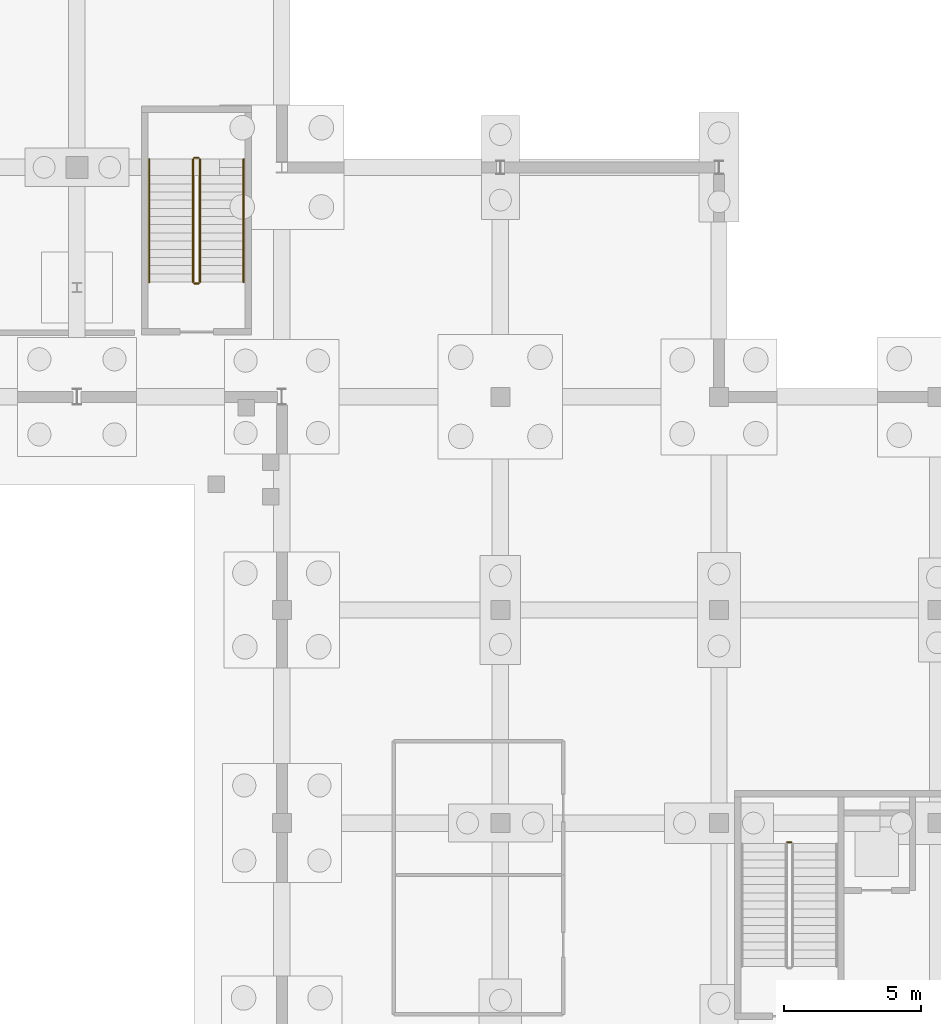
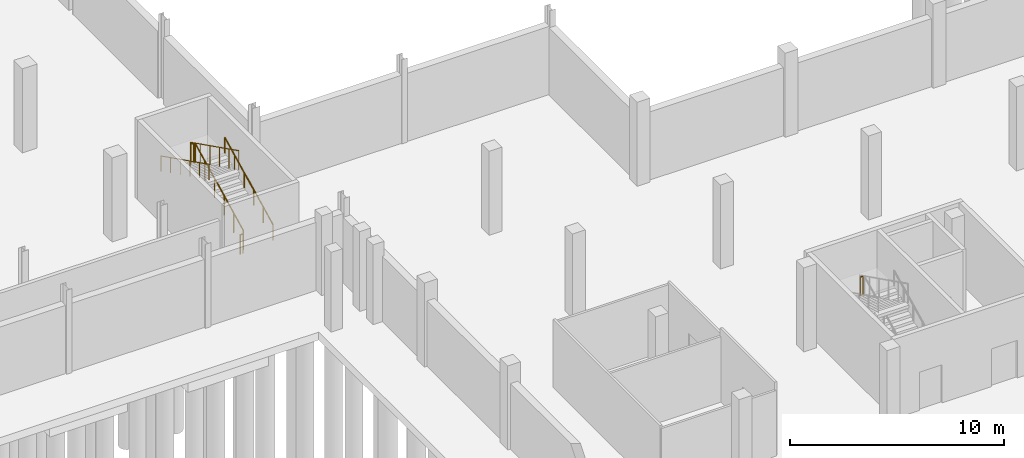
# One storey, part 40 of 44: 7 railings.
"""IFC4 building model written with IfcOpenShell, lengths in metres."""

from ifc_helpers import new_model, si_unit, direction, frame, origin, origin_2d, place, context, subcontext, project, spatial, circle, extrude, material, layer, layer_set, type_object, element, save


model = new_model("IFC4")

# Units and contexts
model_context = context("Model", 3, precision=1e-05, world=origin(), true_north=direction((0.0, 1.0)))
body_context = subcontext(model_context, "Body", "Model", "MODEL_VIEW")
ifc_project = project(units=[si_unit("LENGTHUNIT", "METRE"), si_unit("AREAUNIT", "SQUARE_METRE"), si_unit("VOLUMEUNIT", "CUBIC_METRE"), si_unit("PLANEANGLEUNIT", "RADIAN"), si_unit("MASSUNIT", "GRAM", prefix="KILO")], contexts=[model_context])

# Site, building, storey
site_placement = place(None, origin())
site = spatial("IfcSite", under=ifc_project, at=site_placement, CompositionType="ELEMENT")
building_placement = place(site_placement, origin())
building = spatial("IfcBuilding", under=site, at=building_placement, Name="Yukiwa Park Conservatory and Herbarium", CompositionType="ELEMENT")
storey_placement = place(building_placement, frame((0.0, 0.0, -4.800048828125)))
storey = spatial("IfcBuildingStorey", under=building, at=storey_placement, Name="B1", CompositionType="ELEMENT", Elevation=-4.800048828125)

# Railings
ifc_material_1 = material(Name="Steel Q235B", Category="steel")
ifc_layer_1 = layer(ifc_material_1, 0.050048828125)
ifc_layer_set_1 = layer_set([ifc_layer_1], Name="Steel Q235B")
railing_type_1 = type_object("IfcRailingType", Name="RL-STAIR-GUARD-1120", PredefinedType="BALUSTRADE", material=ifc_layer_set_1)
railing_1_placement = place(storey_placement, frame((78.64990234375, 61.699951171875, 2.400146484375)))
element("IfcRailing", 1, at=railing_1_placement, inside=storey, type_object=railing_type_1, Name="B1 ST-V1 stair guard 2", PredefinedType="BALUSTRADE", context=body_context, shape_type="SweptSolid", body=[
    extrude(circle(Radius=0.02392578125, at=origin_2d()), frame((0.0, 0.0, 1.09619140625), z_axis=(-1.0, 0.0, 0.0), x_axis=(0.0, -1.0, 0.0)), (0.0, 0.0, 1.0), 0.14990234375),
    extrude(circle(Radius=0.02099609375, at=origin_2d()), origin(), (0.0, 0.0, 1.0), 1.072021484375),
    extrude(circle(Radius=0.02099609375, at=origin_2d()), frame((-0.14990234375, 0.0, 0.0)), (0.0, 0.0, 1.0), 1.072021484375),
])
railing_2_placement = place(storey_placement, frame((57.0, 82.199951171875, 0.150146484375)))
element("IfcRailing", 2, at=railing_2_placement, inside=storey, type_object=railing_type_1, Name="B1 ST-A2 stair guard 1", PredefinedType="BALUSTRADE", context=body_context, shape_type="SweptSolid", body=[
    extrude(circle(Radius=0.02392578125, at=origin_2d()), frame((0.0, 0.0, 1.09619140625), z_axis=(0.0, 0.894427191, 0.4472135955), x_axis=(-1.0, 0.0, 0.0)), (0.0, 0.0, 1.0), 5.03125),
    extrude(circle(Radius=0.02099609375, at=origin_2d()), origin(), (0.0, 0.0, 1.0), 1.072021484375),
    extrude(circle(Radius=0.02099609375, at=origin_2d()), frame((0.0, 0.89990234375, 0.449951171875)), (0.0, 0.0, 1.0), 1.072021484375),
    extrude(circle(Radius=0.02099609375, at=origin_2d()), frame((0.0, 1.800048828125, 0.89990234375)), (0.0, 0.0, 1.0), 1.072021484375),
    extrude(circle(Radius=0.02099609375, at=origin_2d()), frame((0.0, 2.699951171875, 1.35009765625)), (0.0, 0.0, 1.0), 1.072021484375),
    extrude(circle(Radius=0.02099609375, at=origin_2d()), frame((0.0, 3.60009765625, 1.800048828125)), (0.0, 0.0, 1.0), 1.072021484375),
    extrude(circle(Radius=0.02099609375, at=origin_2d()), frame((0.0, 4.5, 2.25)), (0.0, 0.0, 1.0), 1.072021484375),
])
railing_3_placement = place(storey_placement, frame((56.949951171875, 86.75, 2.400146484375)))
element("IfcRailing", 3, at=railing_3_placement, inside=storey, type_object=railing_type_1, Name="B1 ST-A2 stair guard 2", PredefinedType="BALUSTRADE", context=body_context, shape_type="SweptSolid", body=[
    extrude(circle(Radius=0.02392578125, at=origin_2d()), frame((0.0, 0.0, 1.09619140625), z_axis=(-1.0, 0.0, 0.0), x_axis=(0.0, -1.0, 0.0)), (0.0, 0.0, 1.0), 0.14990234375),
    extrude(circle(Radius=0.02099609375, at=origin_2d()), origin(), (0.0, 0.0, 1.0), 1.072021484375),
    extrude(circle(Radius=0.02099609375, at=origin_2d()), frame((-0.14990234375, 0.0, 0.0)), (0.0, 0.0, 1.0), 1.072021484375),
])
railing_4_placement = place(storey_placement, frame((56.75, 86.699951171875, 2.550048828125)))
element("IfcRailing", 4, at=railing_4_placement, inside=storey, type_object=railing_type_1, Name="B1 ST-A2 stair guard 3", PredefinedType="BALUSTRADE", context=body_context, shape_type="SweptSolid", body=[
    extrude(circle(Radius=0.02392578125, at=origin_2d()), frame((0.0, 0.0, 1.09619140625), z_axis=(0.0, -0.894427191, 0.4472135955), x_axis=(1.0, 0.0, 0.0)), (0.0, 0.0, 1.0), 5.03125),
    extrude(circle(Radius=0.02099609375, at=origin_2d()), origin(), (0.0, 0.0, 1.0), 1.072021484375),
    extrude(circle(Radius=0.02099609375, at=origin_2d()), frame((0.0, -0.89990234375, 0.449951171875)), (0.0, 0.0, 1.0), 1.072021484375),
    extrude(circle(Radius=0.02099609375, at=origin_2d()), frame((0.0, -1.800048828125, 0.89990234375)), (0.0, 0.0, 1.0), 1.072021484375),
    extrude(circle(Radius=0.02099609375, at=origin_2d()), frame((0.0, -2.699951171875, 1.35009765625)), (0.0, 0.0, 1.0), 1.072021484375),
    extrude(circle(Radius=0.02099609375, at=origin_2d()), frame((0.0, -3.60009765625, 1.800048828125)), (0.0, 0.0, 1.0), 1.072021484375),
    extrude(circle(Radius=0.02099609375, at=origin_2d()), frame((0.0, -4.5, 2.25)), (0.0, 0.0, 1.0), 1.072021484375),
])
railing_5_placement = place(storey_placement, frame((56.949951171875, 82.14990234375, 0.0)))
element("IfcRailing", 5, at=railing_5_placement, inside=storey, type_object=railing_type_1, Name="B1 ST-A2 stair guard 4", PredefinedType="BALUSTRADE", context=body_context, shape_type="SweptSolid", body=[
    extrude(circle(Radius=0.02392578125, at=origin_2d()), frame((0.0, 0.0, 1.09619140625), z_axis=(-1.0, 0.0, 0.0), x_axis=(0.0, -1.0, 0.0)), (0.0, 0.0, 1.0), 0.14990234375),
    extrude(circle(Radius=0.02099609375, at=origin_2d()), origin(), (0.0, 0.0, 1.0), 1.072021484375),
    extrude(circle(Radius=0.02099609375, at=origin_2d()), frame((-0.14990234375, 0.0, 0.0)), (0.0, 0.0, 1.0), 1.072021484375),
])
ifc_material_2 = material(Name="Steel Q235B", Category="steel")
ifc_layer_2 = layer(ifc_material_2, 0.044921875)
ifc_layer_set_2 = layer_set([ifc_layer_2], Name="Steel Q235B")
railing_type_2 = type_object("IfcRailingType", Name="RL-STAIR-RAIL-900", PredefinedType="HANDRAIL", material=ifc_layer_set_2)
railing_6_placement = place(storey_placement, frame((58.60009765625, 82.199951171875, 0.150146484375)))
element("IfcRailing", 6, at=railing_6_placement, inside=storey, type_object=railing_type_2, Name="B1 ST-A2 stair handrail 1", PredefinedType="HANDRAIL", context=body_context, shape_type="SweptSolid", body=[
    extrude(circle(Radius=0.02392578125, at=origin_2d()), frame((0.0, 0.0, 0.8759765625), z_axis=(0.0, 0.894427191, 0.4472135955), x_axis=(-1.0, 0.0, 0.0)), (0.0, 0.0, 1.0), 5.03125),
    extrude(circle(Radius=0.02099609375, at=origin_2d()), origin(), (0.0, 0.0, 1.0), 0.851806640625),
    extrude(circle(Radius=0.02099609375, at=origin_2d()), frame((0.0, 0.89990234375, 0.449951171875)), (0.0, 0.0, 1.0), 0.851806640625),
    extrude(circle(Radius=0.02099609375, at=origin_2d()), frame((0.0, 1.800048828125, 0.89990234375)), (0.0, 0.0, 1.0), 0.851806640625),
    extrude(circle(Radius=0.02099609375, at=origin_2d()), frame((0.0, 2.699951171875, 1.35009765625)), (0.0, 0.0, 1.0), 0.851806640625),
    extrude(circle(Radius=0.02099609375, at=origin_2d()), frame((0.0, 3.60009765625, 1.800048828125)), (0.0, 0.0, 1.0), 0.851806640625),
    extrude(circle(Radius=0.02099609375, at=origin_2d()), frame((0.0, 4.5, 2.25)), (0.0, 0.0, 1.0), 0.851806640625),
])
railing_7_placement = place(storey_placement, frame((55.14990234375, 86.699951171875, 2.550048828125)))
element("IfcRailing", 7, at=railing_7_placement, inside=storey, type_object=railing_type_2, Name="B1 ST-A2 stair handrail 2", PredefinedType="HANDRAIL", context=body_context, shape_type="SweptSolid", body=[
    extrude(circle(Radius=0.02392578125, at=origin_2d()), frame((0.0, 0.0, 0.8759765625), z_axis=(0.0, -0.894427191, 0.4472135955), x_axis=(1.0, 0.0, 0.0)), (0.0, 0.0, 1.0), 5.03125),
    extrude(circle(Radius=0.02099609375, at=origin_2d()), origin(), (0.0, 0.0, 1.0), 0.851806640625),
    extrude(circle(Radius=0.02099609375, at=origin_2d()), frame((0.0, -0.89990234375, 0.449951171875)), (0.0, 0.0, 1.0), 0.851806640625),
    extrude(circle(Radius=0.02099609375, at=origin_2d()), frame((0.0, -1.800048828125, 0.89990234375)), (0.0, 0.0, 1.0), 0.851806640625),
    extrude(circle(Radius=0.02099609375, at=origin_2d()), frame((0.0, -2.699951171875, 1.35009765625)), (0.0, 0.0, 1.0), 0.851806640625),
    extrude(circle(Radius=0.02099609375, at=origin_2d()), frame((0.0, -3.60009765625, 1.800048828125)), (0.0, 0.0, 1.0), 0.851806640625),
    extrude(circle(Radius=0.02099609375, at=origin_2d()), frame((0.0, -4.5, 2.25)), (0.0, 0.0, 1.0), 0.851806640625),
])

save(model, "model.ifc")
